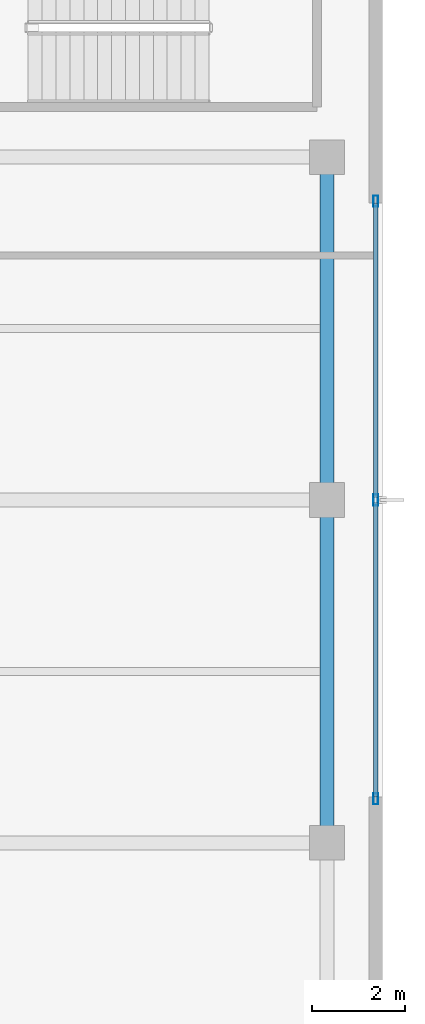
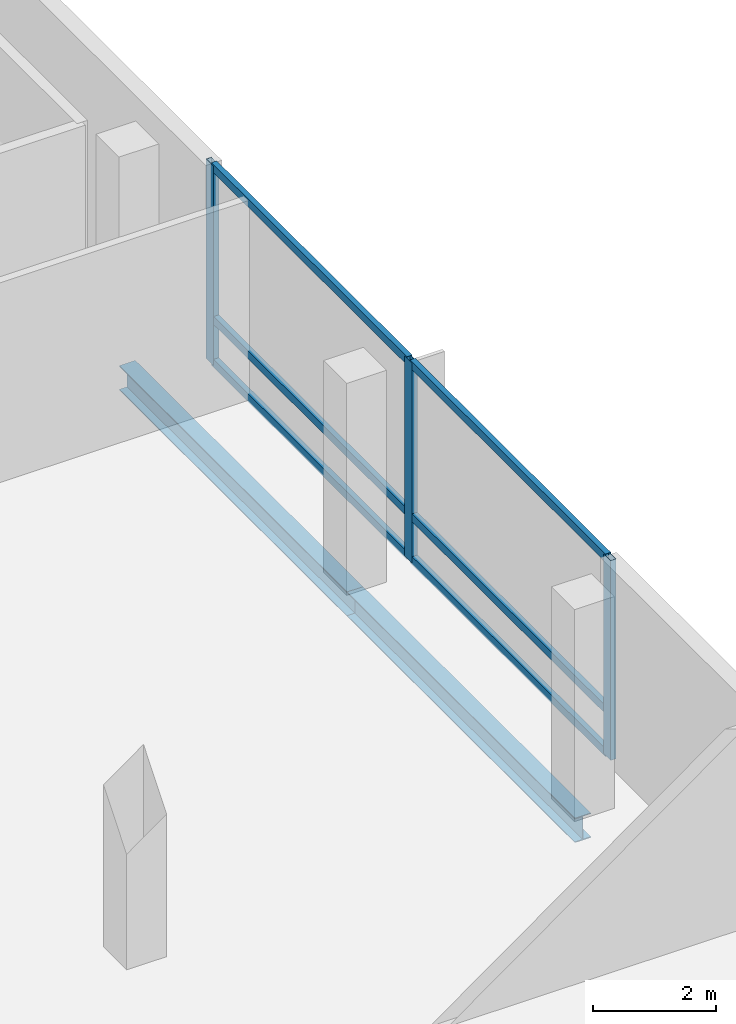
# One storey, part 6 of 19: 9 members, 2 beams, 1 element without a shape of its own.
"""IFC4 building model written with IfcOpenShell, lengths in metres."""

import ifcopenshell
import ifcopenshell.guid

model = None  # the IFC model being written
_history = None  # IfcOwnerHistory: only IFC2X3 demands one
_inside = {}  # id of a spatial element -> (the spatial element, [elements in it])
_under = {}  # id of a project, library or spatial element -> (it, [spatial elements below it])
_declared = {}  # id of a project -> (the project, [libraries it declares])
_typed = {}  # id of a type object -> (the type object, [elements of that type])
_made_of = {}  # id of a material, layer set ... -> (it, [elements and type objects made of it])


def new_model(schema):
    """Start an empty IFC model of exactly this schema.

    Asked for "IFC4X3", IfcOpenShell would pick the latest addendum, in which some entities
    have other attributes; the version numbers below select the first issue.
    IFC2X3 requires an IfcOwnerHistory on every rooted entity: one is made here for all.
    """
    global model, _history
    if schema == "IFC4X3":
        model = ifcopenshell.file(schema_version=(4, 3, 0, 0))
    else:
        model = ifcopenshell.file(schema=schema)
    _inside.clear()
    _under.clear()
    _declared.clear()
    _typed.clear()
    _made_of.clear()
    _history = None
    if model.schema == "IFC2X3":
        org = make("IfcOrganization", Name="unknown")
        user = make(
            "IfcPersonAndOrganization",
            ThePerson=make("IfcPerson", FamilyName="unknown"),
            TheOrganization=org,
        )
        app = make(
            "IfcApplication",
            ApplicationDeveloper=org,
            Version="unknown",
            ApplicationFullName="unknown",
            ApplicationIdentifier="unknown",
        )
        _history = make(
            "IfcOwnerHistory",
            OwningUser=user,
            OwningApplication=app,
            ChangeAction="ADDED",
            CreationDate=0,
        )
    return model


def make(cls, **values):
    """One entity of the class cls with the attributes given. An attribute that is None is left unset."""
    return model.create_entity(
        cls, **{name: value for name, value in values.items() if value is not None}
    )


def rooted(cls, **values):
    """An entity with a GlobalId (a new one), such as an element, a storey or a relation."""
    return make(cls, GlobalId=ifcopenshell.guid.new(), OwnerHistory=_history, **values)


def si_unit(unit_type, name, prefix=None):
    """IfcSIUnit, for example si_unit("LENGTHUNIT", "METRE", prefix="MILLI")."""
    return make("IfcSIUnit", UnitType=unit_type, Prefix=prefix, Name=name)


def assignment(units):
    """IfcUnitAssignment: the units of a project."""
    return None if units is None else make("IfcUnitAssignment", Units=units)


def point(xyz):
    """IfcCartesianPoint."""
    return None if xyz is None else make("IfcCartesianPoint", Coordinates=xyz)


def direction(xyz):
    """IfcDirection."""
    return None if xyz is None else make("IfcDirection", DirectionRatios=xyz)


def frame(location, z_axis=None, x_axis=None):
    """IfcAxis2Placement3D, a coordinate frame: its origin and axes. An axis left out is left unset."""
    return make(
        "IfcAxis2Placement3D",
        Location=point(location),
        Axis=direction(z_axis),
        RefDirection=direction(x_axis),
    )


def frame_2d(location, x_axis=None):
    """IfcAxis2Placement2D, a coordinate frame in the plane: its origin and x axis."""
    return make(
        "IfcAxis2Placement2D", Location=point(location), RefDirection=direction(x_axis)
    )


def origin():
    """The frame at (0, 0, 0) with its axes left unset."""
    return frame((0.0, 0.0, 0.0))


def origin_2d():
    """The frame at (0, 0) in the plane with its x axis left unset."""
    return frame_2d((0.0, 0.0))


def place(relative_to, where):
    """IfcLocalPlacement: puts the frame where relative to a parent placement (None: the world)."""
    return make(
        "IfcLocalPlacement", PlacementRelTo=relative_to, RelativePlacement=where
    )


def context(
    kind, dimensions, precision=None, world=None, true_north=None, identifier=None
):
    """IfcGeometricRepresentationContext, for example the 3D "Model" context."""
    return make(
        "IfcGeometricRepresentationContext",
        ContextIdentifier=identifier,
        ContextType=kind,
        CoordinateSpaceDimension=dimensions,
        Precision=precision,
        WorldCoordinateSystem=world,
        TrueNorth=true_north,
    )


def subcontext(parent, identifier, kind, view, scale=None):
    """IfcGeometricRepresentationSubContext, for example "Body" below "Model"."""
    return make(
        "IfcGeometricRepresentationSubContext",
        ContextIdentifier=identifier,
        ContextType=kind,
        ParentContext=parent,
        TargetScale=scale,
        TargetView=view,
    )


def project(units=None, contexts=None):
    """IfcProject with its units and contexts."""
    return rooted(
        "IfcProject",
        Name="project",
        RepresentationContexts=contexts,
        UnitsInContext=assignment(units),
    )


def spatial(cls, under=None, at=None, **own):
    """A site, building, storey or space (cls), placed at a placement, below another one or the project."""
    s = rooted(cls, ObjectPlacement=at, **own)
    if under is not None:
        _under.setdefault(under.id(), (under, []))[1].append(s)
    return s


def profile(cls, at=None, kind="AREA", **sizes):
    """A parametric profile (cls). Its sizes go by their IFC names, for example OverallWidth=200.0."""
    return make(cls, ProfileType=kind, Position=at, **sizes)


def hollow_rectangle(**sizes):
    """IfcRectangleHollowProfileDef."""
    return profile("IfcRectangleHollowProfileDef", **sizes)


def i_section(**sizes):
    """IfcIShapeProfileDef."""
    return profile("IfcIShapeProfileDef", **sizes)


def extrude(swept, where, along, depth):
    """IfcExtrudedAreaSolid: the profile swept, set in the frame where, extruded along a direction by depth."""
    return make(
        "IfcExtrudedAreaSolid",
        SweptArea=swept,
        Position=where,
        ExtrudedDirection=direction(along),
        Depth=depth,
    )


def shape(context_of_items, identifier, shape_type, items):
    """IfcShapeRepresentation: the items that make up one representation, for example the "Body"."""
    return make(
        "IfcShapeRepresentation",
        ContextOfItems=context_of_items,
        RepresentationIdentifier=identifier,
        RepresentationType=shape_type,
        Items=items,
    )


def material(Name=None, Category=None):
    """IfcMaterial."""
    return make("IfcMaterial", Name=Name, Category=Category)


def layer(
    of_material, thickness, ventilated=None, Name=None, Category=None, Priority=None
):
    """IfcMaterialLayer: one layer of a wall or slab, of a material (None: an air gap)."""
    return make(
        "IfcMaterialLayer",
        Material=of_material,
        LayerThickness=thickness,
        IsVentilated=ventilated,
        Name=Name,
        Category=Category,
        Priority=Priority,
    )


def layer_set(layers, Name=None):
    """IfcMaterialLayerSet."""
    return make("IfcMaterialLayerSet", MaterialLayers=layers, LayerSetName=Name)


def material_profile(
    of_material, cross_section, Name=None, Category=None, Priority=None
):
    """IfcMaterialProfile: a cross section and its material."""
    return make(
        "IfcMaterialProfile",
        Name=Name,
        Material=of_material,
        Profile=cross_section,
        Priority=Priority,
        Category=Category,
    )


def profile_set(profiles, Name=None, composite=None):
    """IfcMaterialProfileSet."""
    return make(
        "IfcMaterialProfileSet",
        Name=Name,
        MaterialProfiles=profiles,
        CompositeProfile=composite,
    )


def made_of(thing, what):
    """Note that an element or type object is made of a material, layer set ...; save() writes the relation."""
    if what is not None:
        _made_of.setdefault(what.id(), (what, []))[1].append(thing)
    return thing


def type_object(cls, material=None, **own):
    """A type object (cls), such as IfcWallType, which elements share."""
    return made_of(rooted(cls, **own), material)


def element(
    cls,
    number,
    at=None,
    inside=None,
    cuts=None,
    type_object=None,
    material=None,
    context=None,
    identifier="Body",
    shape_type=None,
    held_by="IfcProductDefinitionShape",
    body=None,
    shapes=None,
    **own,
):
    """One element of the class cls, such as IfcWall. Its Tag is "e" and its number.

    at: its placement. inside: the storey or other place that contains it. cuts: it is an
    opening in that element (IfcRelVoidsElement). A single representation is given by context,
    identifier, shape_type and body (its items); several are given by shapes. held_by: the class
    of the entity that holds the representations. save() writes the other relations.
    """
    e = rooted(cls, Tag="e%d" % number, ObjectPlacement=at, **own)
    if body is not None:
        shapes = [shape(context, identifier, shape_type, body)]
    if shapes is not None:
        e.Representation = make(held_by, Representations=shapes)
    if inside is not None:
        _inside.setdefault(inside.id(), (inside, []))[1].append(e)
    if cuts is not None:
        rooted(
            "IfcRelVoidsElement", RelatingBuildingElement=cuts, RelatedOpeningElement=e
        )
    if type_object is not None:
        _typed.setdefault(type_object.id(), (type_object, []))[1].append(e)
    return made_of(e, material)


def aggregate(whole, parts):
    """IfcRelAggregates: a whole, such as a stair, and the parts it consists of."""
    return rooted("IfcRelAggregates", RelatingObject=whole, RelatedObjects=parts)


def save(model, path):
    """Write the relations noted so far, then the file.

    IfcRelAggregates (storeys below a building ...), IfcRelContainedInSpatialStructure (elements
    in a storey), IfcRelDefinesByType, IfcRelAssociatesMaterial and IfcRelDeclares: one each for
    every whole, place, type object, material and project.
    """
    for whole, parts in _under.values():
        aggregate(whole, parts)
    for where, things in _inside.values():
        rooted(
            "IfcRelContainedInSpatialStructure",
            RelatedElements=things,
            RelatingStructure=where,
        )
    for kind, things in _typed.values():
        rooted("IfcRelDefinesByType", RelatedObjects=things, RelatingType=kind)
    for what, things in _made_of.values():
        rooted("IfcRelAssociatesMaterial", RelatedObjects=things, RelatingMaterial=what)
    for by, libraries in _declared.values():
        rooted("IfcRelDeclares", RelatingContext=by, RelatedDefinitions=libraries)
    model.write(path)


model = new_model("IFC4")

# Units and contexts
model_context = context("Model", 3, precision=1e-05, world=origin(), true_north=direction((0.0, 1.0)))
body_context = subcontext(model_context, "Body", "Model", "MODEL_VIEW")
ifc_project = project(units=[si_unit("LENGTHUNIT", "METRE"), si_unit("AREAUNIT", "SQUARE_METRE"), si_unit("VOLUMEUNIT", "CUBIC_METRE"), si_unit("PLANEANGLEUNIT", "RADIAN"), si_unit("MASSUNIT", "GRAM", prefix="KILO")], contexts=[model_context])

# Site, building, storey
site_placement = place(None, origin())
site = spatial("IfcSite", under=ifc_project, at=site_placement, CompositionType="ELEMENT")
building_placement = place(site_placement, origin())
building = spatial("IfcBuilding", under=site, at=building_placement, Name="Khorvyn Point Tower", CompositionType="ELEMENT")
storey_placement = place(building_placement, frame((0.0, 0.0, 17.39990234375)))
storey = spatial("IfcBuildingStorey", under=building, at=storey_placement, Name="L05", CompositionType="ELEMENT", Elevation=17.39990234375)

# Curtain wall, members
ifc_material_1 = material(Name="Anodised aluminium 6063-T6 and laminated Low-E glass", Category="aluminium")
ifc_layer = layer(ifc_material_1, 0.18994140625)
ifc_layer_set = layer_set([ifc_layer], Name="Stick-Built Low-E Podium Curtain Wall CW-SYS-01")
curtain_wall_type = type_object("IfcCurtainWallType", Name="Stick-Built Low-E Podium Curtain Wall CW-SYS-01", PredefinedType="NOTDEFINED", material=ifc_layer_set)
curtain_wall_placement = place(storey_placement, origin())
curtain_wall = element("IfcCurtainWall", 1, at=curtain_wall_placement, inside=storey, type_object=curtain_wall_type, Name="Curtain Wall", PredefinedType="NOTDEFINED")
ifc_material_2 = material(Name="Anodised aluminium 6063-T6", Category="aluminium")
ifc_material_profile_1 = material_profile(ifc_material_2, hollow_rectangle(XDim=0.10009765625, YDim=0.239990234375, WallThickness=0.0048828125, at=origin_2d()))
ifc_profile_set_1 = profile_set([ifc_material_profile_1], Name="Anodised aluminium 6063-T6 ALU-MUL-100x240")
member_type_1 = type_object("IfcMemberType", Name="Anodised Aluminium 6063-T6 Mullion ALU-MUL-100x240", PredefinedType="MULLION", material=ifc_profile_set_1)
member_1_placement = place(storey_placement, frame((33.449951171875, -6.449951171875, 0.0), z_axis=(0.0, 0.0, 1.0), x_axis=(-1.0, 0.0, 0.0)))
member_1 = element("IfcMember", 2, at=member_1_placement, type_object=member_type_1, Name="Transom", PredefinedType="MULLION", context=body_context, shape_type="SweptSolid", body=[
    extrude(hollow_rectangle(XDim=0.10009765625, YDim=0.239990234375, WallThickness=0.0048828125, at=origin_2d()), origin(), (0.0, 0.0, 1.0), 3.960205078125),
])
member_2_placement = place(storey_placement, frame((33.449951171875, 0.0, 0.0), z_axis=(0.0, 0.0, 1.0), x_axis=(-1.0, 0.0, 0.0)))
member_2 = element("IfcMember", 3, at=member_2_placement, type_object=member_type_1, Name="Transom", PredefinedType="MULLION", context=body_context, shape_type="SweptSolid", body=[
    extrude(hollow_rectangle(XDim=0.10009765625, YDim=0.239990234375, WallThickness=0.0048828125, at=origin_2d()), origin(), (0.0, 0.0, 1.0), 3.960205078125),
])
member_3_placement = place(storey_placement, frame((33.449951171875, 6.449951171875, 0.0), z_axis=(0.0, 0.0, 1.0), x_axis=(-1.0, 0.0, 0.0)))
member_3 = element("IfcMember", 4, at=member_3_placement, type_object=member_type_1, Name="Transom", PredefinedType="MULLION", context=body_context, shape_type="SweptSolid", body=[
    extrude(hollow_rectangle(XDim=0.10009765625, YDim=0.239990234375, WallThickness=0.0048828125, at=origin_2d()), origin(), (0.0, 0.0, 1.0), 3.960205078125),
])
ifc_material_profile_2 = material_profile(ifc_material_2, hollow_rectangle(XDim=0.10009765625, YDim=0.159912109375, WallThickness=0.00439453125, at=origin_2d()))
ifc_profile_set_2 = profile_set([ifc_material_profile_2], Name="Anodised aluminium 6063-T6 ALU-TRN-100x160")
member_type_2 = type_object("IfcMemberType", Name="Anodised Aluminium 6063-T6 Transom ALU-TRN-100x160", PredefinedType="USERDEFINED", material=ifc_profile_set_2)
member_4_placement = place(storey_placement, frame((33.449951171875, -6.39990234375, 0.050048828125), z_axis=(0.0, 1.0, 0.0), x_axis=(-1.0, 0.0, 0.0)))
member_4 = element("IfcMember", 5, at=member_4_placement, type_object=member_type_2, Name="Transom", ObjectType="TRANSOM", PredefinedType="USERDEFINED", context=body_context, shape_type="SweptSolid", body=[
    extrude(hollow_rectangle(XDim=0.10009765625, YDim=0.159912109375, WallThickness=0.00439453125, at=origin_2d()), origin(), (0.0, 0.0, 1.0), 6.349853515625),
])
member_5_placement = place(storey_placement, frame((33.449951171875, -6.39990234375, 0.900146484375), z_axis=(0.0, 1.0, 0.0), x_axis=(-1.0, 0.0, 0.0)))
member_5 = element("IfcMember", 6, at=member_5_placement, type_object=member_type_2, Name="Transom", ObjectType="TRANSOM", PredefinedType="USERDEFINED", context=body_context, shape_type="SweptSolid", body=[
    extrude(hollow_rectangle(XDim=0.10009765625, YDim=0.159912109375, WallThickness=0.00439453125, at=origin_2d()), origin(), (0.0, 0.0, 1.0), 6.349853515625),
])
member_6_placement = place(storey_placement, frame((33.449951171875, -6.39990234375, 3.91015625), z_axis=(0.0, 1.0, 0.0), x_axis=(-1.0, 0.0, 0.0)))
member_6 = element("IfcMember", 7, at=member_6_placement, type_object=member_type_2, Name="Transom", ObjectType="TRANSOM", PredefinedType="USERDEFINED", context=body_context, shape_type="SweptSolid", body=[
    extrude(hollow_rectangle(XDim=0.10009765625, YDim=0.159912109375, WallThickness=0.00439453125, at=origin_2d()), origin(), (0.0, 0.0, 1.0), 6.349853515625),
])
member_7_placement = place(storey_placement, frame((33.449951171875, 0.050048828125, 0.050048828125), z_axis=(0.0, 1.0, 0.0), x_axis=(-1.0, 0.0, 0.0)))
member_7 = element("IfcMember", 8, at=member_7_placement, type_object=member_type_2, Name="Transom", ObjectType="TRANSOM", PredefinedType="USERDEFINED", context=body_context, shape_type="SweptSolid", body=[
    extrude(hollow_rectangle(XDim=0.10009765625, YDim=0.159912109375, WallThickness=0.00439453125, at=origin_2d()), origin(), (0.0, 0.0, 1.0), 6.349853515625),
])
member_8_placement = place(storey_placement, frame((33.449951171875, 0.050048828125, 0.900146484375), z_axis=(0.0, 1.0, 0.0), x_axis=(-1.0, 0.0, 0.0)))
member_8 = element("IfcMember", 9, at=member_8_placement, type_object=member_type_2, Name="Transom", ObjectType="TRANSOM", PredefinedType="USERDEFINED", context=body_context, shape_type="SweptSolid", body=[
    extrude(hollow_rectangle(XDim=0.10009765625, YDim=0.159912109375, WallThickness=0.00439453125, at=origin_2d()), origin(), (0.0, 0.0, 1.0), 6.349853515625),
])
member_9_placement = place(storey_placement, frame((33.449951171875, 0.050048828125, 3.91015625), z_axis=(0.0, 1.0, 0.0), x_axis=(-1.0, 0.0, 0.0)))
member_9 = element("IfcMember", 10, at=member_9_placement, type_object=member_type_2, Name="Transom", ObjectType="TRANSOM", PredefinedType="USERDEFINED", context=body_context, shape_type="SweptSolid", body=[
    extrude(hollow_rectangle(XDim=0.10009765625, YDim=0.159912109375, WallThickness=0.00439453125, at=origin_2d()), origin(), (0.0, 0.0, 1.0), 6.349853515625),
])
aggregate(curtain_wall, [member_1, member_2, member_3, member_4, member_5, member_6, member_7, member_8, member_9])

# Beams
ifc_material_3 = material(Name="Steel S355", Category="steel")
ifc_material_profile_3 = material_profile(ifc_material_3, i_section(OverallWidth=0.300048828125, OverallDepth=0.488037109375, WebThickness=0.010986328125, FlangeThickness=0.01806640625, at=origin_2d()))
ifc_profile_set_3 = profile_set([ifc_material_profile_3], Name="Steel S355 H488x300x11x18")
beam_type = type_object("IfcBeamType", Name="Steel S355 Spandrel H488x300x11x18", PredefinedType="SPANDREL", material=ifc_profile_set_3)
for number, where, z_axis, x_axis, name in (
    (11, (32.39990234375, -7.39990234375, -0.48388671875), (0.0, 1.0, 0.0), (-1.0, 0.0, 0.0), "Beam"),
    (12, (32.39990234375, 0.0, -0.48388671875), (0.0, 1.0, 0.0), (-1.0, 0.0, 0.0), "Beam"),
):
    element("IfcBeam", number, at=place(storey_placement, frame(where, z_axis=z_axis, x_axis=x_axis)), inside=storey, type_object=beam_type, Name=name, PredefinedType="SPANDREL", context=body_context, shape_type="SweptSolid", body=[
        extrude(i_section(OverallWidth=0.300048828125, OverallDepth=0.488037109375, WebThickness=0.010986328125, FlangeThickness=0.01806640625, at=origin_2d()), origin(), (0.0, 0.0, 1.0), 7.39990234375),
    ])

save(model, "model.ifc")
